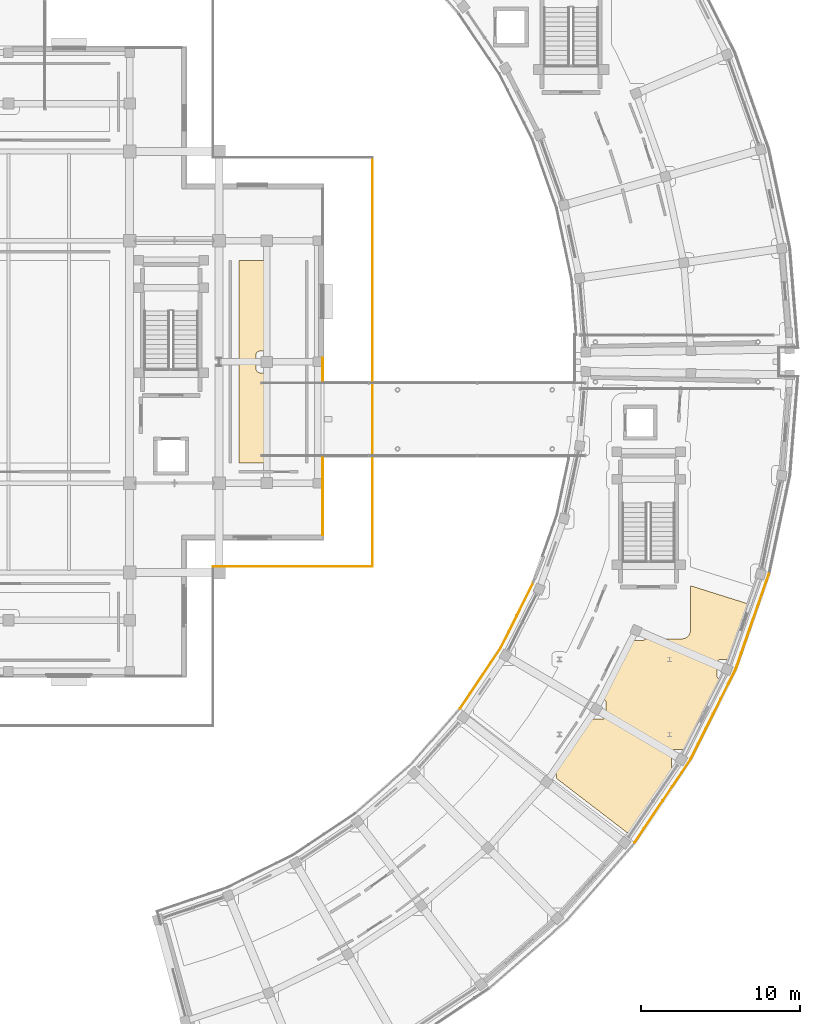
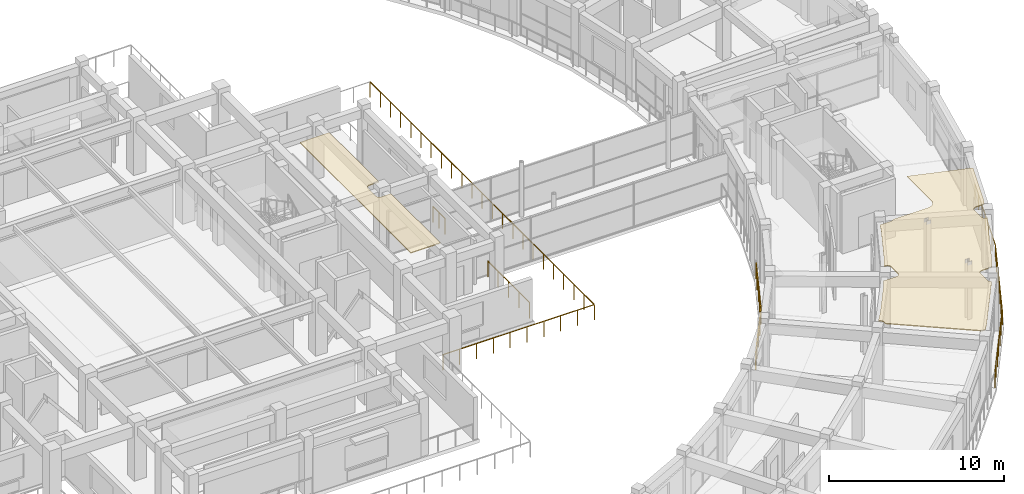
# One storey, part 64 of 72: 9 railings, 2 coverings.
"""IFC4 building model written with IfcOpenShell, lengths in metres."""

from ifc_helpers import new_model, si_unit, direction, frame, origin, origin_2d, place, context, subcontext, project, spatial, polyline, rectangle, outline, extrude, material, layer, layer_set, type_object, element, save


model = new_model("IFC4")

# Units and contexts
model_context = context("Model", 3, precision=1e-05, world=origin(), true_north=direction((0.0, 1.0)))
body_context = subcontext(model_context, "Body", "Model", "MODEL_VIEW")
ifc_project = project(units=[si_unit("LENGTHUNIT", "METRE"), si_unit("AREAUNIT", "SQUARE_METRE"), si_unit("VOLUMEUNIT", "CUBIC_METRE"), si_unit("PLANEANGLEUNIT", "RADIAN"), si_unit("MASSUNIT", "GRAM", prefix="KILO")], contexts=[model_context])

# Site, building, storey
site_placement = place(None, origin())
site = spatial("IfcSite", under=ifc_project, at=site_placement, CompositionType="ELEMENT")
building_placement = place(site_placement, origin())
building = spatial("IfcBuilding", under=site, at=building_placement, Name="Saryqyr Civic Hall", CompositionType="ELEMENT")
storey_placement = place(building_placement, frame((0.0, 0.0, 17.25)))
storey = spatial("IfcBuildingStorey", under=building, at=storey_placement, Name="L04", CompositionType="ELEMENT", Elevation=17.25)

# Railings
ifc_material_1 = material(Name="Stainless steel and laminated glass", Category="steel")
ifc_layer_1 = layer(ifc_material_1, 0.06005859375, Name="Stainless steel and laminated glass")
ifc_layer_set_1 = layer_set([ifc_layer_1], Name="Stainless steel and laminated glass")
railing_type_1 = type_object("IfcRailingType", Name="ENV-RLG-BAL-1100", PredefinedType="BALUSTRADE", material=ifc_layer_set_1)
railing_1_placement = place(storey_placement, frame((69.820068359375, 71.179931640625, 0.0)))
element("IfcRailing", 1, at=railing_1_placement, inside=storey, type_object=railing_type_1, Name="Perimeter safety balustrade V1-STEPG-L04-G03", PredefinedType="BALUSTRADE", context=body_context, shape_type="SweptSolid", body=[
    extrude(rectangle(XDim=0.048095703125, YDim=0.048095703125, at=origin_2d()), frame((0.0, 0.0, 1.076171875), z_axis=(1.0, 0.0, 0.0), x_axis=(0.0, 1.0, 0.0)), (0.0, 0.0, 1.0), 10.0),
    extrude(rectangle(XDim=0.0419921875, YDim=0.0419921875, at=origin_2d()), origin(), (0.0, 0.0, 1.0), 1.052001953125),
    extrude(rectangle(XDim=0.0419921875, YDim=0.0419921875, at=origin_2d()), frame((1.111083984375, 0.0, 0.0)), (0.0, 0.0, 1.0), 1.052001953125),
    extrude(rectangle(XDim=0.0419921875, YDim=0.0419921875, at=origin_2d()), frame((2.22216796875, 0.0, 0.0)), (0.0, 0.0, 1.0), 1.052001953125),
    extrude(rectangle(XDim=0.0419921875, YDim=0.0419921875, at=origin_2d()), frame((3.333251953125, 0.0, 0.0)), (0.0, 0.0, 1.0), 1.052001953125),
    extrude(rectangle(XDim=0.0419921875, YDim=0.0419921875, at=origin_2d()), frame((4.4443359375, 0.0, 0.0)), (0.0, 0.0, 1.0), 1.052001953125),
    extrude(rectangle(XDim=0.0419921875, YDim=0.0419921875, at=origin_2d()), frame((5.5556640625, 0.0, 0.0)), (0.0, 0.0, 1.0), 1.052001953125),
    extrude(rectangle(XDim=0.0419921875, YDim=0.0419921875, at=origin_2d()), frame((6.666748046875, 0.0, 0.0)), (0.0, 0.0, 1.0), 1.052001953125),
    extrude(rectangle(XDim=0.0419921875, YDim=0.0419921875, at=origin_2d()), frame((7.77783203125, 0.0, 0.0)), (0.0, 0.0, 1.0), 1.052001953125),
    extrude(rectangle(XDim=0.0419921875, YDim=0.0419921875, at=origin_2d()), frame((8.888916015625, 0.0, 0.0)), (0.0, 0.0, 1.0), 1.052001953125),
    extrude(rectangle(XDim=0.0419921875, YDim=0.0419921875, at=origin_2d()), frame((10.0, 0.0, 0.0)), (0.0, 0.0, 1.0), 1.052001953125),
])
railing_2_placement = place(storey_placement, frame((79.820068359375, 71.179931640625, 0.0)))
element("IfcRailing", 2, at=railing_2_placement, inside=storey, type_object=railing_type_1, Name="Perimeter safety balustrade V1-STEPG-L04-G04", PredefinedType="BALUSTRADE", context=body_context, shape_type="SweptSolid", body=[
    extrude(rectangle(XDim=0.048095703125, YDim=0.048095703125, at=origin_2d()), frame((0.0, 0.0, 1.076171875), z_axis=(0.0, 1.0, 0.0), x_axis=(-1.0, 0.0, 0.0)), (0.0, 0.0, 1.0), 25.64013671875),
    extrude(rectangle(XDim=0.0419921875, YDim=0.0419921875, at=origin_2d()), origin(), (0.0, 0.0, 1.0), 1.052001953125),
    extrude(rectangle(XDim=0.0419921875, YDim=0.0419921875, at=origin_2d()), frame((0.0, 1.16552734375, 0.0)), (0.0, 0.0, 1.0), 1.052001953125),
    extrude(rectangle(XDim=0.0419921875, YDim=0.0419921875, at=origin_2d()), frame((0.0, 2.330810546875, 0.0)), (0.0, 0.0, 1.0), 1.052001953125),
    extrude(rectangle(XDim=0.0419921875, YDim=0.0419921875, at=origin_2d()), frame((0.0, 3.496337890625, 0.0)), (0.0, 0.0, 1.0), 1.052001953125),
    extrude(rectangle(XDim=0.0419921875, YDim=0.0419921875, at=origin_2d()), frame((0.0, 4.661865234375, 0.0)), (0.0, 0.0, 1.0), 1.052001953125),
    extrude(rectangle(XDim=0.0419921875, YDim=0.0419921875, at=origin_2d()), frame((0.0, 5.827392578125, 0.0)), (0.0, 0.0, 1.0), 1.052001953125),
    extrude(rectangle(XDim=0.0419921875, YDim=0.0419921875, at=origin_2d()), frame((0.0, 6.99267578125, 0.0)), (0.0, 0.0, 1.0), 1.052001953125),
    extrude(rectangle(XDim=0.0419921875, YDim=0.0419921875, at=origin_2d()), frame((0.0, 8.158203125, 0.0)), (0.0, 0.0, 1.0), 1.052001953125),
    extrude(rectangle(XDim=0.0419921875, YDim=0.0419921875, at=origin_2d()), frame((0.0, 9.32373046875, 0.0)), (0.0, 0.0, 1.0), 1.052001953125),
    extrude(rectangle(XDim=0.0419921875, YDim=0.0419921875, at=origin_2d()), frame((0.0, 10.4892578125, 0.0)), (0.0, 0.0, 1.0), 1.052001953125),
    extrude(rectangle(XDim=0.0419921875, YDim=0.0419921875, at=origin_2d()), frame((0.0, 11.654541015625, 0.0)), (0.0, 0.0, 1.0), 1.052001953125),
    extrude(rectangle(XDim=0.0419921875, YDim=0.0419921875, at=origin_2d()), frame((0.0, 12.820068359375, 0.0)), (0.0, 0.0, 1.0), 1.052001953125),
    extrude(rectangle(XDim=0.0419921875, YDim=0.0419921875, at=origin_2d()), frame((0.0, 13.985595703125, 0.0)), (0.0, 0.0, 1.0), 1.052001953125),
    extrude(rectangle(XDim=0.0419921875, YDim=0.0419921875, at=origin_2d()), frame((0.0, 15.15087890625, 0.0)), (0.0, 0.0, 1.0), 1.052001953125),
    extrude(rectangle(XDim=0.0419921875, YDim=0.0419921875, at=origin_2d()), frame((0.0, 16.31640625, 0.0)), (0.0, 0.0, 1.0), 1.052001953125),
    extrude(rectangle(XDim=0.0419921875, YDim=0.0419921875, at=origin_2d()), frame((0.0, 17.48193359375, 0.0)), (0.0, 0.0, 1.0), 1.052001953125),
    extrude(rectangle(XDim=0.0419921875, YDim=0.0419921875, at=origin_2d()), frame((0.0, 18.6474609375, 0.0)), (0.0, 0.0, 1.0), 1.052001953125),
    extrude(rectangle(XDim=0.0419921875, YDim=0.0419921875, at=origin_2d()), frame((0.0, 19.812744140625, 0.0)), (0.0, 0.0, 1.0), 1.052001953125),
    extrude(rectangle(XDim=0.0419921875, YDim=0.0419921875, at=origin_2d()), frame((0.0, 20.978271484375, 0.0)), (0.0, 0.0, 1.0), 1.052001953125),
    extrude(rectangle(XDim=0.0419921875, YDim=0.0419921875, at=origin_2d()), frame((0.0, 22.143798828125, 0.0)), (0.0, 0.0, 1.0), 1.052001953125),
    extrude(rectangle(XDim=0.0419921875, YDim=0.0419921875, at=origin_2d()), frame((0.0, 23.309326171875, 0.0)), (0.0, 0.0, 1.0), 1.052001953125),
    extrude(rectangle(XDim=0.0419921875, YDim=0.0419921875, at=origin_2d()), frame((0.0, 24.474609375, 0.0)), (0.0, 0.0, 1.0), 1.052001953125),
    extrude(rectangle(XDim=0.0419921875, YDim=0.0419921875, at=origin_2d()), frame((0.0, 25.64013671875, 0.0)), (0.0, 0.0, 1.0), 1.052001953125),
])

# Coverings
ifc_material_2 = material(Name="Mineral-fibre acoustic ceiling tile", Category="acoustic_tile")
ifc_layer_2 = layer(ifc_material_2, 0.06005859375, Name="Mineral-fibre acoustic ceiling tile")
ifc_layer_set_2 = layer_set([ifc_layer_2], Name="Mineral-fibre acoustic ceiling tile")
covering_type = type_object("IfcCoveringType", Name="INT-COV-CEIL-60", PredefinedType="CEILING", material=ifc_layer_set_2)
covering_1_placement = place(storey_placement, frame((0.0, 0.0, 3.72998046875)))
element("IfcCovering", 3, at=covering_1_placement, inside=storey, type_object=covering_type, Name="Acoustic ceiling District Utilities & Seismic Directorate", PredefinedType="CEILING", context=body_context, shape_type="SweptSolid", body=[
    extrude(outline(polyline([(91.368408203125, 58.04443359375), (91.3671875, 58.06884765625), (91.363525390625, 58.09326171875), (91.357666015625, 58.116943359375), (91.349365234375, 58.14013671875), (91.3388671875, 58.162109375), (91.326416015625, 58.183349609375), (91.311767578125, 58.202880859375), (91.295166015625, 58.22119140625), (91.277099609375, 58.23779296875), (91.25732421875, 58.252197265625), (91.236083984375, 58.264892578125), (91.214111328125, 58.275390625), (91.19091796875, 58.28369140625), (91.167236328125, 58.28955078125), (91.142822265625, 58.293212890625), (91.1337890625, 58.293701171875), (91.67236328125, 58.992431640625), (91.69287109375, 59.02099609375), (93.198974609375, 61.258544921875), (93.217529296875, 61.2880859375), (93.40625, 61.611083984375), (93.42236328125, 61.607177734375), (93.44677734375, 61.603515625), (93.47119140625, 61.602294921875), (94.231201171875, 61.602294921875), (94.255615234375, 61.603515625), (94.280029296875, 61.607177734375), (94.3037109375, 61.613037109375), (94.326904296875, 61.621337890625), (94.34912109375, 61.6318359375), (94.3701171875, 61.644287109375), (94.389892578125, 61.658935546875), (94.407958984375, 61.675537109375), (94.424560546875, 61.693603515625), (94.439208984375, 61.71337890625), (94.45166015625, 61.734619140625), (94.462158203125, 61.756591796875), (94.470458984375, 61.77978515625), (94.476318359375, 61.803466796875), (94.47998046875, 61.827880859375), (94.481201171875, 61.852294921875), (94.481201171875, 62.6123046875), (94.47998046875, 62.63671875), (94.476318359375, 62.6611328125), (94.470458984375, 62.684814453125), (94.462158203125, 62.7080078125), (94.45166015625, 62.72998046875), (94.439208984375, 62.751220703125), (94.424560546875, 62.77099609375), (94.407958984375, 62.7890625), (94.389892578125, 62.8056640625), (94.3701171875, 62.8203125), (94.34912109375, 62.832763671875), (94.326904296875, 62.84326171875), (94.3037109375, 62.8515625), (94.280029296875, 62.857421875), (94.255615234375, 62.861083984375), (94.231201171875, 62.8623046875), (94.13671875, 62.8623046875), (94.57763671875, 63.6171875), (94.594482421875, 63.648193359375), (95.802978515625, 66.059326171875), (95.817626953125, 66.09130859375), (96.0048828125, 66.533203125), (96.729248046875, 66.533203125), (96.75390625, 66.534423828125), (96.778076171875, 66.5380859375), (96.802001953125, 66.544189453125), (96.824951171875, 66.55224609375), (96.84716796875, 66.562744140625), (96.8681640625, 66.575439453125), (96.887939453125, 66.590087890625), (96.906005859375, 66.6064453125), (96.922607421875, 66.624755859375), (96.9287109375, 66.633056640625), (99.218017578125, 66.638916015625), (99.271728515625, 66.6416015625), (99.324951171875, 66.649658203125), (99.377197265625, 66.662841796875), (99.427978515625, 66.68115234375), (99.4765625, 66.7041015625), (99.522705078125, 66.73193359375), (99.56591796875, 66.76416015625), (99.605712890625, 66.80029296875), (99.641845703125, 66.840087890625), (99.674072265625, 66.88330078125), (99.70166015625, 66.9296875), (99.724609375, 66.978271484375), (99.742919921875, 67.029052734375), (99.756103515625, 67.081298828125), (99.763916015625, 67.134521484375), (99.7666015625, 67.188232421875), (99.769775390625, 69.966796875), (103.45703125, 68.806884765625), (102.43896484375, 65.88720703125), (102.213134765625, 65.3544921875), (101.66943359375, 65.3544921875), (101.64501953125, 65.353271484375), (101.62060546875, 65.349609375), (101.5966796875, 65.343505859375), (101.57373046875, 65.33544921875), (101.551513671875, 65.324951171875), (101.530517578125, 65.312255859375), (101.5107421875, 65.297607421875), (101.49267578125, 65.28125), (101.47607421875, 65.262939453125), (101.46142578125, 65.243408203125), (101.448974609375, 65.22216796875), (101.4384765625, 65.2001953125), (101.43017578125, 65.177001953125), (101.42431640625, 65.1533203125), (101.420654296875, 65.12890625), (101.41943359375, 65.1044921875), (101.41943359375, 64.344482421875), (101.420654296875, 64.31982421875), (101.42431640625, 64.295654296875), (101.43017578125, 64.271728515625), (101.4384765625, 64.248779296875), (101.448974609375, 64.2265625), (101.46142578125, 64.20556640625), (101.47607421875, 64.185791015625), (101.49267578125, 64.16748046875), (101.5107421875, 64.151123046875), (101.530517578125, 64.136474609375), (101.551513671875, 64.123779296875), (101.57373046875, 64.11328125), (101.5966796875, 64.105224609375), (101.62060546875, 64.09912109375), (101.64501953125, 64.095703125), (101.66943359375, 64.094482421875), (101.679443359375, 64.094482421875), (101.658203125, 64.04443359375), (99.763427734375, 60.25), (99.44775390625, 59.708984375), (98.809326171875, 59.708984375), (98.784912109375, 59.7080078125), (98.760498046875, 59.704345703125), (98.73681640625, 59.6982421875), (98.713623046875, 59.690185546875), (98.691650390625, 59.6796875), (98.67041015625, 59.6669921875), (98.65087890625, 59.65234375), (98.632568359375, 59.635986328125), (98.6162109375, 59.61767578125), (98.6015625, 59.597900390625), (98.5888671875, 59.576904296875), (98.578369140625, 59.5546875), (98.5703125, 59.53173828125), (98.564208984375, 59.5078125), (98.560546875, 59.483642578125), (98.559326171875, 59.458984375), (98.559326171875, 58.69921875), (98.560546875, 58.674560546875), (98.564208984375, 58.650390625), (98.5703125, 58.62646484375), (98.578369140625, 58.603515625), (98.5888671875, 58.581298828125), (98.6015625, 58.560302734375), (98.6162109375, 58.54052734375), (98.632568359375, 58.522216796875), (98.65087890625, 58.505859375), (98.67041015625, 58.4912109375), (98.691650390625, 58.478515625), (98.713623046875, 58.468017578125), (98.717529296875, 58.466796875), (96.391845703125, 54.99853515625), (95.991943359375, 54.4794921875), (95.800537109375, 54.4794921875), (91.368408203125, 57.88037109375), (91.368408203125, 58.04443359375)])), origin(), (0.0, 0.0, 1.0), 0.06005859375),
])
covering_2_placement = place(storey_placement, frame((0.0, 0.0, 3.64990234375)))
element("IfcCovering", 4, at=covering_2_placement, inside=storey, type_object=covering_type, Name="Acoustic ceiling Members' Pantry & Accessible MGN WC L04", PredefinedType="CEILING", context=body_context, shape_type="SweptSolid", body=[
    extrude(outline(polyline([(71.449951171875, 77.64990234375), (71.449951171875, 90.35009765625), (73.39990234375, 90.35009765625), (73.39990234375, 84.679931640625), (72.77001953125, 84.679931640625), (72.74560546875, 84.6787109375), (72.72119140625, 84.67529296875), (72.697509765625, 84.669189453125), (72.67431640625, 84.660888671875), (72.652099609375, 84.650390625), (72.631103515625, 84.637939453125), (72.611328125, 84.623291015625), (72.59326171875, 84.606689453125), (72.57666015625, 84.588623046875), (72.56201171875, 84.56884765625), (72.549560546875, 84.5478515625), (72.5390625, 84.525634765625), (72.53076171875, 84.502685546875), (72.52490234375, 84.478759765625), (72.521240234375, 84.45458984375), (72.52001953125, 84.429931640625), (72.52001953125, 83.570068359375), (72.521240234375, 83.54541015625), (72.52490234375, 83.521240234375), (72.53076171875, 83.497314453125), (72.5390625, 83.474365234375), (72.549560546875, 83.4521484375), (72.56201171875, 83.43115234375), (72.57666015625, 83.411376953125), (72.59326171875, 83.393310546875), (72.611328125, 83.376708984375), (72.631103515625, 83.362060546875), (72.652099609375, 83.349609375), (72.67431640625, 83.339111328125), (72.697509765625, 83.330810546875), (72.72119140625, 83.32470703125), (72.74560546875, 83.3212890625), (72.77001953125, 83.320068359375), (73.39990234375, 83.320068359375), (73.39990234375, 77.64990234375), (71.449951171875, 77.64990234375)])), origin(), (0.0, 0.0, 1.0), 0.06005859375),
])

# Railings
ifc_material_3 = material(Name="Warm brushed brass and laminated glass", Category="glass")
ifc_layer_3 = layer(ifc_material_3, 0.06005859375, Name="Warm brushed brass and laminated glass")
ifc_layer_set_3 = layer_set([ifc_layer_3], Name="Warm brushed brass and laminated glass")
railing_type_2 = type_object("IfcRailingType", Name="INT-RLG-BAL-1100", PredefinedType="BALUSTRADE", material=ifc_layer_set_3)
railing_3_placement = place(storey_placement, frame((76.699951171875, 84.235107421875, 0.0)))
element("IfcRailing", 5, at=railing_3_placement, inside=storey, type_object=railing_type_2, Name="Interior deck safety balustrade L04-033", PredefinedType="BALUSTRADE", context=body_context, shape_type="SweptSolid", body=[
    extrude(rectangle(XDim=0.048095703125, YDim=0.048095703125, at=origin_2d()), frame((0.0, 0.0, 1.09619140625), z_axis=(0.0, -1.0, 0.0), x_axis=(1.0, 0.0, 0.0)), (0.0, 0.0, 1.0), 1.39501953125),
    extrude(rectangle(XDim=0.0419921875, YDim=0.0419921875, at=origin_2d()), origin(), (0.0, 0.0, 1.0), 1.072021484375),
    extrude(rectangle(XDim=0.0419921875, YDim=0.0419921875, at=origin_2d()), frame((0.0, -0.697509765625, 0.0)), (0.0, 0.0, 1.0), 1.072021484375),
    extrude(rectangle(XDim=0.0419921875, YDim=0.0419921875, at=origin_2d()), frame((0.0, -1.39501953125, 0.0)), (0.0, 0.0, 1.0), 1.072021484375),
])
railing_4_placement = place(storey_placement, frame((104.683349609375, 70.71337890625, 0.0)))
element("IfcRailing", 6, at=railing_4_placement, inside=storey, type_object=railing_type_2, Name="Interior deck safety balustrade L04-062", PredefinedType="BALUSTRADE", context=body_context, shape_type="SweptSolid", body=[
    extrude(rectangle(XDim=0.048095703125, YDim=0.048095703125, at=origin_2d()), frame((0.0, 0.0, 1.09619140625), z_axis=(-0.329288741156, -0.944229275625, 0.0), x_axis=(0.944229275625, -0.329288741156, 0.0)), (0.0, 0.0, 1.0), 6.31103515625),
    extrude(rectangle(XDim=0.0419921875, YDim=0.0419921875, at=origin_2d()), origin(), (0.0, 0.0, 1.0), 1.072021484375),
    extrude(rectangle(XDim=0.0419921875, YDim=0.0419921875, at=origin_2d()), frame((-0.346435546875, -0.9931640625, 0.0)), (0.0, 0.0, 1.0), 1.072021484375),
    extrude(rectangle(XDim=0.0419921875, YDim=0.0419921875, at=origin_2d()), frame((-0.692626953125, -1.986328125, 0.0)), (0.0, 0.0, 1.0), 1.072021484375),
    extrude(rectangle(XDim=0.0419921875, YDim=0.0419921875, at=origin_2d()), frame((-1.0390625, -2.9794921875, 0.0)), (0.0, 0.0, 1.0), 1.072021484375),
    extrude(rectangle(XDim=0.0419921875, YDim=0.0419921875, at=origin_2d()), frame((-1.385498046875, -3.97265625, 0.0)), (0.0, 0.0, 1.0), 1.072021484375),
    extrude(rectangle(XDim=0.0419921875, YDim=0.0419921875, at=origin_2d()), frame((-1.731689453125, -4.9658203125, 0.0)), (0.0, 0.0, 1.0), 1.072021484375),
    extrude(rectangle(XDim=0.0419921875, YDim=0.0419921875, at=origin_2d()), frame((-2.078125, -5.958984375, 0.0)), (0.0, 0.0, 1.0), 1.072021484375),
])
railing_5_placement = place(storey_placement, frame((102.605224609375, 64.75439453125, 0.0)))
element("IfcRailing", 7, at=railing_5_placement, inside=storey, type_object=railing_type_2, Name="Interior deck safety balustrade L04-063", PredefinedType="BALUSTRADE", context=body_context, shape_type="SweptSolid", body=[
    extrude(rectangle(XDim=0.048095703125, YDim=0.048095703125, at=origin_2d()), frame((0.0, 0.0, 1.09619140625), z_axis=(-0.446733837766, -0.894666909076, 0.0), x_axis=(0.894666909076, -0.446733837766, 0.0)), (0.0, 0.0, 1.0), 6.31103515625),
    extrude(rectangle(XDim=0.0419921875, YDim=0.0419921875, at=origin_2d()), origin(), (0.0, 0.0, 1.0), 1.072021484375),
    extrude(rectangle(XDim=0.0419921875, YDim=0.0419921875, at=origin_2d()), frame((-0.469970703125, -0.94091796875, 0.0)), (0.0, 0.0, 1.0), 1.072021484375),
    extrude(rectangle(XDim=0.0419921875, YDim=0.0419921875, at=origin_2d()), frame((-0.939697265625, -1.882080078125, 0.0)), (0.0, 0.0, 1.0), 1.072021484375),
    extrude(rectangle(XDim=0.0419921875, YDim=0.0419921875, at=origin_2d()), frame((-1.40966796875, -2.8232421875, 0.0)), (0.0, 0.0, 1.0), 1.072021484375),
    extrude(rectangle(XDim=0.0419921875, YDim=0.0419921875, at=origin_2d()), frame((-1.879638671875, -3.76416015625, 0.0)), (0.0, 0.0, 1.0), 1.072021484375),
    extrude(rectangle(XDim=0.0419921875, YDim=0.0419921875, at=origin_2d()), frame((-2.349365234375, -4.705078125, 0.0)), (0.0, 0.0, 1.0), 1.072021484375),
    extrude(rectangle(XDim=0.0419921875, YDim=0.0419921875, at=origin_2d()), frame((-2.8193359375, -5.646240234375, 0.0)), (0.0, 0.0, 1.0), 1.072021484375),
])
railing_6_placement = place(storey_placement, frame((99.785888671875, 59.108154296875, 0.0)))
element("IfcRailing", 8, at=railing_6_placement, inside=storey, type_object=railing_type_2, Name="Interior deck safety balustrade L04-064", PredefinedType="BALUSTRADE", context=body_context, shape_type="SweptSolid", body=[
    extrude(rectangle(XDim=0.048095703125, YDim=0.048095703125, at=origin_2d()), frame((0.0, 0.0, 1.09619140625), z_axis=(-0.556965587004, -0.830535571119, 0.0), x_axis=(0.830535571119, -0.556965587004, 0.0)), (0.0, 0.0, 1.0), 6.311279296875),
    extrude(rectangle(XDim=0.0419921875, YDim=0.0419921875, at=origin_2d()), origin(), (0.0, 0.0, 1.0), 1.072021484375),
    extrude(rectangle(XDim=0.0419921875, YDim=0.0419921875, at=origin_2d()), frame((-0.5859375, -0.87353515625, 0.0)), (0.0, 0.0, 1.0), 1.072021484375),
    extrude(rectangle(XDim=0.0419921875, YDim=0.0419921875, at=origin_2d()), frame((-1.171630859375, -1.747314453125, 0.0)), (0.0, 0.0, 1.0), 1.072021484375),
    extrude(rectangle(XDim=0.0419921875, YDim=0.0419921875, at=origin_2d()), frame((-1.757568359375, -2.620849609375, 0.0)), (0.0, 0.0, 1.0), 1.072021484375),
    extrude(rectangle(XDim=0.0419921875, YDim=0.0419921875, at=origin_2d()), frame((-2.343505859375, -3.494384765625, 0.0)), (0.0, 0.0, 1.0), 1.072021484375),
    extrude(rectangle(XDim=0.0419921875, YDim=0.0419921875, at=origin_2d()), frame((-2.92919921875, -4.3681640625, 0.0)), (0.0, 0.0, 1.0), 1.072021484375),
    extrude(rectangle(XDim=0.0419921875, YDim=0.0419921875, at=origin_2d()), frame((-3.51513671875, -5.24169921875, 0.0)), (0.0, 0.0, 1.0), 1.072021484375),
])
railing_7_placement = place(storey_placement, frame((85.322998046875, 62.26708984375, 0.0)))
element("IfcRailing", 9, at=railing_7_placement, inside=storey, type_object=railing_type_2, Name="Interior deck safety balustrade L04-077", PredefinedType="BALUSTRADE", context=body_context, shape_type="SweptSolid", body=[
    extrude(rectangle(XDim=0.048095703125, YDim=0.048095703125, at=origin_2d()), frame((0.0, 0.0, 1.09619140625), z_axis=(0.556913853802, 0.830570261593, 0.0), x_axis=(-0.830570261593, 0.556913853802, 0.0)), (0.0, 0.0, 1.0), 4.5517578125),
    extrude(rectangle(XDim=0.0419921875, YDim=0.0419921875, at=origin_2d()), origin(), (0.0, 0.0, 1.0), 1.072021484375),
    extrude(rectangle(XDim=0.0419921875, YDim=0.0419921875, at=origin_2d()), frame((0.6337890625, 0.945068359375, 0.0)), (0.0, 0.0, 1.0), 1.072021484375),
    extrude(rectangle(XDim=0.0419921875, YDim=0.0419921875, at=origin_2d()), frame((1.267578125, 1.89013671875, 0.0)), (0.0, 0.0, 1.0), 1.072021484375),
    extrude(rectangle(XDim=0.0419921875, YDim=0.0419921875, at=origin_2d()), frame((1.901123046875, 2.83544921875, 0.0)), (0.0, 0.0, 1.0), 1.072021484375),
    extrude(rectangle(XDim=0.0419921875, YDim=0.0419921875, at=origin_2d()), frame((2.534912109375, 3.780517578125, 0.0)), (0.0, 0.0, 1.0), 1.072021484375),
])
railing_8_placement = place(storey_placement, frame((87.85791015625, 66.047607421875, 0.0)))
element("IfcRailing", 10, at=railing_8_placement, inside=storey, type_object=railing_type_2, Name="Interior deck safety balustrade L04-078", PredefinedType="BALUSTRADE", context=body_context, shape_type="SweptSolid", body=[
    extrude(rectangle(XDim=0.048095703125, YDim=0.048095703125, at=origin_2d()), frame((0.0, 0.0, 1.09619140625), z_axis=(0.446762967387, 0.894652363195, 0.0), x_axis=(-0.894652363195, 0.446762967387, 0.0)), (0.0, 0.0, 1.0), 4.551513671875),
    extrude(rectangle(XDim=0.0419921875, YDim=0.0419921875, at=origin_2d()), origin(), (0.0, 0.0, 1.0), 1.072021484375),
    extrude(rectangle(XDim=0.0419921875, YDim=0.0419921875, at=origin_2d()), frame((0.50830078125, 1.01806640625, 0.0)), (0.0, 0.0, 1.0), 1.072021484375),
    extrude(rectangle(XDim=0.0419921875, YDim=0.0419921875, at=origin_2d()), frame((1.0166015625, 2.0361328125, 0.0)), (0.0, 0.0, 1.0), 1.072021484375),
    extrude(rectangle(XDim=0.0419921875, YDim=0.0419921875, at=origin_2d()), frame((1.525146484375, 3.053955078125, 0.0)), (0.0, 0.0, 1.0), 1.072021484375),
    extrude(rectangle(XDim=0.0419921875, YDim=0.0419921875, at=origin_2d()), frame((2.033447265625, 4.072021484375, 0.0)), (0.0, 0.0, 1.0), 1.072021484375),
])
railing_9_placement = place(storey_placement, frame((76.699951171875, 77.9599609375, 0.0)))
element("IfcRailing", 11, at=railing_9_placement, inside=storey, type_object=railing_type_2, Name="Interior deck safety balustrade L04-082", PredefinedType="BALUSTRADE", context=body_context, shape_type="SweptSolid", body=[
    extrude(rectangle(XDim=0.048095703125, YDim=0.048095703125, at=origin_2d()), frame((0.0, 0.0, 1.09619140625), z_axis=(0.0, -1.0, 0.0), x_axis=(1.0, 0.0, 0.0)), (0.0, 0.0, 1.0), 4.794921875),
    extrude(rectangle(XDim=0.0419921875, YDim=0.0419921875, at=origin_2d()), origin(), (0.0, 0.0, 1.0), 1.072021484375),
    extrude(rectangle(XDim=0.0419921875, YDim=0.0419921875, at=origin_2d()), frame((0.0, -1.19873046875, 0.0)), (0.0, 0.0, 1.0), 1.072021484375),
    extrude(rectangle(XDim=0.0419921875, YDim=0.0419921875, at=origin_2d()), frame((0.0, -2.3974609375, 0.0)), (0.0, 0.0, 1.0), 1.072021484375),
    extrude(rectangle(XDim=0.0419921875, YDim=0.0419921875, at=origin_2d()), frame((0.0, -3.59619140625, 0.0)), (0.0, 0.0, 1.0), 1.072021484375),
    extrude(rectangle(XDim=0.0419921875, YDim=0.0419921875, at=origin_2d()), frame((0.0, -4.794921875, 0.0)), (0.0, 0.0, 1.0), 1.072021484375),
])

save(model, "model.ifc")
